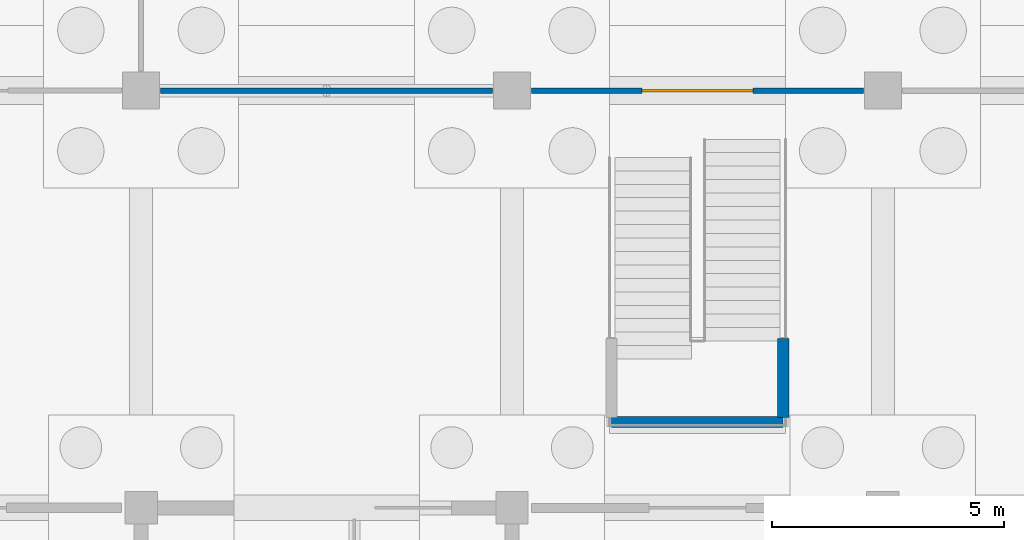
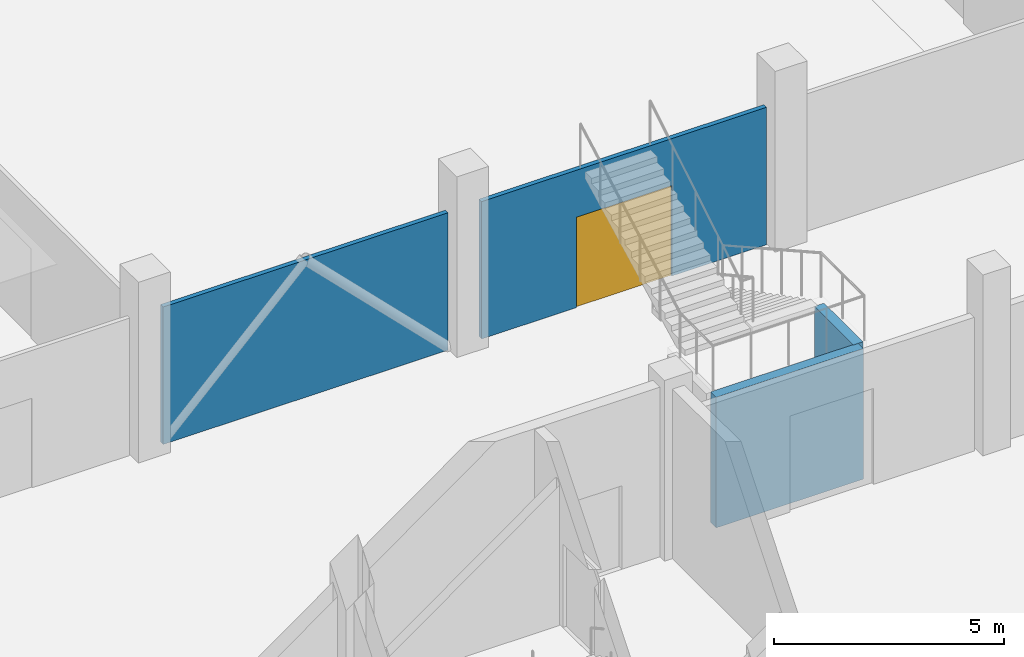
# One storey, part 42 of 72: 4 walls, 1 door, 1 opening.
"""IFC4 building model written with IfcOpenShell, lengths in metres."""

from ifc_helpers import new_model, si_unit, direction, frame, frame_2d, origin, place, context, subcontext, project, spatial, rectangle, extrude, material, layer, layer_set, type_object, element, fill, save


model = new_model("IFC4")

# Units and contexts
model_context = context("Model", 3, precision=1e-05, world=origin(), true_north=direction((0.0, 1.0)))
body_context = subcontext(model_context, "Body", "Model", "MODEL_VIEW")
ifc_project = project(units=[si_unit("LENGTHUNIT", "METRE"), si_unit("AREAUNIT", "SQUARE_METRE"), si_unit("VOLUMEUNIT", "CUBIC_METRE"), si_unit("PLANEANGLEUNIT", "RADIAN"), si_unit("MASSUNIT", "GRAM", prefix="KILO"), si_unit("THERMODYNAMICTEMPERATUREUNIT", "KELVIN"), si_unit("POWERUNIT", "WATT")], contexts=[model_context])

# Site, building, storey
site_placement = place(None, origin())
site = spatial("IfcSite", under=ifc_project, at=site_placement, CompositionType="ELEMENT")
building_placement = place(site_placement, origin())
building = spatial("IfcBuilding", under=site, at=building_placement, Name="Kronsvod Quay Wholesale Market", CompositionType="ELEMENT")
storey_placement = place(building_placement, origin())
storey = spatial("IfcBuildingStorey", under=building, at=storey_placement, Name="L00", CompositionType="ELEMENT", Elevation=0.0)

# Wall
ifc_material_1 = material(Name="Framed acoustic glass hall partition", Category="glass")
ifc_layer_1 = layer(ifc_material_1, 0.114990234375)
ifc_layer_set_1 = layer_set([ifc_layer_1], Name="Framed acoustic glass hall partition")
wall_type_1 = type_object("IfcWallType", Name="Wall_PartGlazed115", PredefinedType="PARTITIONING", material=ifc_layer_set_1)
wall_1_placement = place(storey_placement, frame((40.419921875, 54.0, 0.0), z_axis=(0.0, 0.0, 1.0), x_axis=(1.0, 0.0, 0.0)))
element("IfcWall", 1, at=wall_1_placement, inside=storey, type_object=wall_type_1, Name="PW-L00-0078", PredefinedType="PARTITIONING", context=body_context, shape_type="SweptSolid", body=[
    extrude(rectangle(XDim=7.16015625, YDim=0.114990234375, at=frame_2d((3.580078125, 0.0))), origin(), (0.0, 0.0, 1.0), 3.64990234375),
])

# Wall, opening, door
wall_2_placement = place(storey_placement, frame((48.419921875, 54.0, 0.0), z_axis=(0.0, 0.0, 1.0), x_axis=(1.0, 0.0, 0.0)))
wall_2 = element("IfcWall", 2, at=wall_2_placement, inside=storey, type_object=wall_type_1, Name="PW-L00-0079", PredefinedType="PARTITIONING", context=body_context, shape_type="SweptSolid", body=[
    extrude(rectangle(XDim=7.16015625, YDim=0.114990234375, at=frame_2d((3.580078125, 0.0))), origin(), (0.0, 0.0, 1.0), 3.64990234375),
])
opening_placement = place(wall_2_placement, frame((2.3798828125, 0.0, 0.0)))
opening = element("IfcOpeningElement", 3, at=opening_placement, cuts=wall_2, Name="Opening D-0171", PredefinedType="OPENING", context=body_context, shape_type="SweptSolid", body=[
    extrude(rectangle(XDim=2.39990234375, YDim=2.39990234375, at=frame_2d((1.199951171875, 1.199951171875))), frame((0.0, 0.0673828125, 0.0), z_axis=(0.0, -1.0, 0.0), x_axis=(1.0, 0.0, 0.0)), (0.0, 0.0, 1.0), 0.135009765625),
])
ifc_material_2 = material(Name="Glazed aluminium hall portal", Category="aluminium")
door_type = type_object("IfcDoorType", Name="Door_HallPortal240x240", OperationType="DOUBLE_DOOR_SINGLE_SWING", PredefinedType="DOOR", material=ifc_material_2)
door_placement = place(opening_placement, origin())
door = element("IfcDoor", 4, at=door_placement, inside=storey, type_object=door_type, Name="Interior Door D-0171", OperationType="DOUBLE_DOOR_SINGLE_SWING", OverallHeight=2.39990234375, OverallWidth=2.39990234375, PredefinedType="DOOR", context=body_context, shape_type="SweptSolid", body=[
    extrude(rectangle(XDim=2.39990234375, YDim=2.39990234375, at=frame_2d((1.199951171875, 1.199951171875))), frame((0.0, 0.02490234375, 0.0), z_axis=(0.0, -1.0, 0.0), x_axis=(1.0, 0.0, 0.0)), (0.0, 0.0, 1.0), 0.050048828125),
])
fill(opening, door)

# Walls
ifc_material_3 = material(Name="Fire-rated shaft riser block wall", Category="masonry")
ifc_layer_2 = layer(ifc_material_3, 0.1298828125)
ifc_layer_set_2 = layer_set([ifc_layer_2], Name="Fire-rated shaft riser block wall")
wall_type_2 = type_object("IfcWallType", Name="Wall_PartRiser130", PredefinedType="PARTITIONING", material=ifc_layer_set_2)
wall_3_placement = place(storey_placement, frame((50.14990234375, 46.85009765625, -1.25), z_axis=(0.0, 0.0, 1.0), x_axis=(1.0, 0.0, 0.0)))
element("IfcWall", 5, at=wall_3_placement, inside=storey, type_object=wall_type_2, Name="ST-GAL-W1-SWS", PredefinedType="PARTITIONING", context=body_context, shape_type="SweptSolid", body=[
    extrude(rectangle(XDim=3.7001953125, YDim=0.239990234375, at=frame_2d((1.85009765625, 0.0))), origin(), (0.0, 0.0, 1.0), 3.469970703125),
])
wall_4_placement = place(storey_placement, frame((53.85009765625, 46.949951171875, -1.25), z_axis=(0.0, 0.0, 1.0), x_axis=(0.0, 1.0, 0.0)))
element("IfcWall", 6, at=wall_4_placement, inside=storey, type_object=wall_type_2, Name="ST-GAL-W1-SWE", PredefinedType="PARTITIONING", context=body_context, shape_type="SweptSolid", body=[
    extrude(rectangle(XDim=1.699951171875, YDim=0.239990234375, at=frame_2d((0.85009765625, 0.0))), origin(), (0.0, 0.0, 1.0), 3.469970703125),
])

save(model, "model.ifc")
